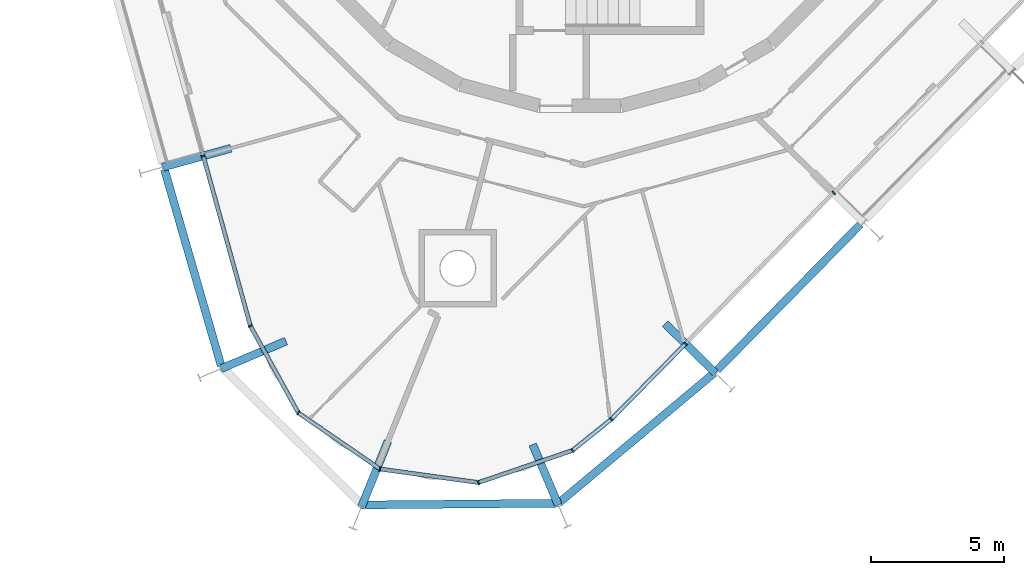
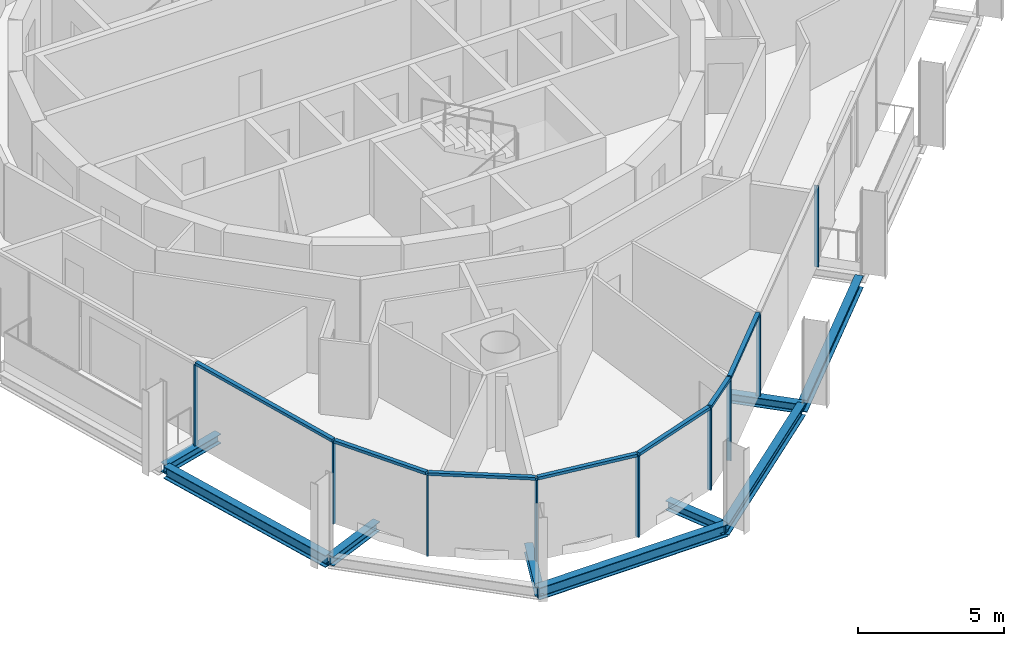
# One storey, part 2 of 15: 16 members, 9 beams, 2 elements without a shape of their own.
"""IFC4 building model written with IfcOpenShell, lengths in metres."""

from ifc_helpers import new_model, si_unit, direction, frame, origin, origin_2d, place, context, subcontext, project, spatial, rectangle, i_section, extrude, material, layer, layer_set, material_profile, profile_set, type_object, element, aggregate, save


model = new_model("IFC4")

# Units and contexts
model_context = context("Model", 3, precision=1e-05, world=origin(), true_north=direction((0.0, 1.0)))
body_context = subcontext(model_context, "Body", "Model", "MODEL_VIEW")
ifc_project = project(units=[si_unit("LENGTHUNIT", "METRE"), si_unit("AREAUNIT", "SQUARE_METRE"), si_unit("VOLUMEUNIT", "CUBIC_METRE"), si_unit("PLANEANGLEUNIT", "RADIAN"), si_unit("MASSUNIT", "GRAM", prefix="KILO")], contexts=[model_context])

# Site, building, storey
site_placement = place(None, origin())
site = spatial("IfcSite", under=ifc_project, at=site_placement, CompositionType="ELEMENT")
building_placement = place(site_placement, origin())
building = spatial("IfcBuilding", under=site, at=building_placement, Name="Spindle Arch Residences", CompositionType="ELEMENT")
storey_placement = place(building_placement, frame((0.0, 0.0, 315.699951171875)))
storey = spatial("IfcBuildingStorey", under=building, at=storey_placement, Name="L81", CompositionType="ELEMENT", Elevation=315.699951171875)

# Curtain wall, members
ifc_material_1 = material(Name="Aluminium bronze unitised frame with tinted glass", Category="aluminium")
ifc_layer_1 = layer(ifc_material_1, 0.159912109375)
ifc_layer_set_1 = layer_set([ifc_layer_1], Name="CW-D corner wall on the fillet arcs")
curtain_wall_type_1 = type_object("IfcCurtainWallType", Name="CW-D corner wall on the fillet arcs", PredefinedType="NOTDEFINED", material=ifc_layer_set_1)
curtain_wall_1_placement = place(storey_placement, origin())
curtain_wall_1 = element("IfcCurtainWall", 1, at=curtain_wall_1_placement, inside=storey, type_object=curtain_wall_type_1, Name="CW-D L81 run 5", PredefinedType="NOTDEFINED")
ifc_material_2 = material(Name="Aluminium bronze anodised mullion", Category="aluminium")
ifc_material_profile_1 = material_profile(ifc_material_2, rectangle(XDim=0.159912109375, YDim=0.06005859375, at=origin_2d()), Name="MU 60x160")
ifc_profile_set_1 = profile_set([ifc_material_profile_1], Name="Aluminium bronze anodised mullion")
member_type_1 = type_object("IfcMemberType", Name="Bronze mullion 60x160", PredefinedType="MULLION", material=ifc_profile_set_1)
member_1_placement = place(storey_placement, frame((-14.1435546875, -13.529296875, -0.3798828125), z_axis=(0.0, 0.0, 1.0), x_axis=(0.963630453209, 0.267238376078, 0.0)))
member_1 = element("IfcMember", 2, at=member_1_placement, type_object=member_type_1, Name="CW-D mullion 00", PredefinedType="MULLION", context=body_context, shape_type="SweptSolid", body=[
    extrude(rectangle(XDim=0.159912109375, YDim=0.06005859375, at=origin_2d()), origin(), (0.0, 0.0, 1.0), 3.3798828125),
])
member_2_placement = place(storey_placement, frame((-12.37548828125, -19.90478515625, -0.3798828125), z_axis=(0.0, 0.0, 1.0), x_axis=(0.876026260142, 0.482263404731, 0.0)))
member_2 = element("IfcMember", 3, at=member_2_placement, type_object=member_type_1, Name="CW-D mullion 01", PredefinedType="MULLION", context=body_context, shape_type="SweptSolid", body=[
    extrude(rectangle(XDim=0.159912109375, YDim=0.06005859375, at=origin_2d()), origin(), (0.0, 0.0, 1.0), 3.3798828125),
])
member_3_placement = place(storey_placement, frame((-10.578125, -23.16943359375, -0.3798828125), z_axis=(0.0, 0.0, 1.0), x_axis=(0.566406236997, 0.824126188573, 0.0)))
member_3 = element("IfcMember", 4, at=member_3_placement, type_object=member_type_1, Name="CW-D mullion 02", PredefinedType="MULLION", context=body_context, shape_type="SweptSolid", body=[
    extrude(rectangle(XDim=0.159912109375, YDim=0.06005859375, at=origin_2d()), origin(), (0.0, 0.0, 1.0), 3.3798828125),
])
member_4_placement = place(storey_placement, frame((-7.5068359375, -25.2802734375, -0.3798828125), z_axis=(0.0, 0.0, 1.0), x_axis=(0.136291936259, 0.99066871764, 0.0)))
member_4 = element("IfcMember", 5, at=member_4_placement, type_object=member_type_1, Name="CW-D mullion 03", PredefinedType="MULLION", context=body_context, shape_type="SweptSolid", body=[
    extrude(rectangle(XDim=0.159912109375, YDim=0.06005859375, at=origin_2d()), origin(), (0.0, 0.0, 1.0), 3.3798828125),
])
member_5_placement = place(storey_placement, frame((-3.81494140625, -25.788330078125, -0.3798828125), z_axis=(0.0, 0.0, 1.0), x_axis=(-0.322816381002, 0.946461612616, 0.0)))
member_5 = element("IfcMember", 6, at=member_5_placement, type_object=member_type_1, Name="CW-D mullion 04", PredefinedType="MULLION", context=body_context, shape_type="SweptSolid", body=[
    extrude(rectangle(XDim=0.159912109375, YDim=0.06005859375, at=origin_2d()), origin(), (0.0, 0.0, 1.0), 3.3798828125),
])
member_6_placement = place(storey_placement, frame((-0.28759765625, -24.585205078125, -0.3798828125), z_axis=(0.0, 0.0, 1.0), x_axis=(-0.627057102153, 0.778973292636, 0.0)))
member_6 = element("IfcMember", 7, at=member_6_placement, type_object=member_type_1, Name="CW-D mullion 05", PredefinedType="MULLION", context=body_context, shape_type="SweptSolid", body=[
    extrude(rectangle(XDim=0.159912109375, YDim=0.06005859375, at=origin_2d()), origin(), (0.0, 0.0, 1.0), 3.3798828125),
])
member_7_placement = place(storey_placement, frame((1.173828125, -23.40869140625, -0.3798828125), z_axis=(0.0, 0.0, 1.0), x_axis=(-0.713250449154, 0.7009092643, 0.0)))
member_7 = element("IfcMember", 8, at=member_7_placement, type_object=member_type_1, Name="CW-D mullion 06", PredefinedType="MULLION", context=body_context, shape_type="SweptSolid", body=[
    extrude(rectangle(XDim=0.159912109375, YDim=0.06005859375, at=origin_2d()), origin(), (0.0, 0.0, 1.0), 3.3798828125),
])

ifc_material_3 = material(Name="Aluminium bronze unitised frame with tinted glass", Category="aluminium")
ifc_layer_2 = layer(ifc_material_3, 0.159912109375)
ifc_layer_set_2 = layer_set([ifc_layer_2], Name="CW-C typical residential unitised wall")
curtain_wall_type_2 = type_object("IfcCurtainWallType", Name="CW-C typical residential unitised wall", PredefinedType="NOTDEFINED", material=ifc_layer_set_2)
curtain_wall_2_placement = place(storey_placement, origin())
curtain_wall_2 = element("IfcCurtainWall", 9, at=curtain_wall_2_placement, inside=storey, type_object=curtain_wall_type_2, Name="CW-C L81 run 6", PredefinedType="NOTDEFINED")
member_8_placement = place(storey_placement, frame((3.95703125, -20.576416015625, -0.3798828125), z_axis=(0.0, 0.0, 1.0), x_axis=(-0.713250449154, 0.7009092643, 0.0)))
member_8 = element("IfcMember", 10, at=member_8_placement, type_object=member_type_1, Name="CW-C mullion 18", PredefinedType="MULLION", context=body_context, shape_type="SweptSolid", body=[
    extrude(rectangle(XDim=0.159912109375, YDim=0.06005859375, at=origin_2d()), origin(), (0.0, 0.0, 1.0), 3.3798828125),
])
member_9_placement = place(storey_placement, frame((9.518798828125, -14.916748046875, -0.3798828125), z_axis=(0.0, 0.0, 1.0), x_axis=(-0.713250449154, 0.7009092643, 0.0)))
member_9 = element("IfcMember", 11, at=member_9_placement, type_object=member_type_1, Name="CW-C mullion 19", PredefinedType="MULLION", context=body_context, shape_type="SweptSolid", body=[
    extrude(rectangle(XDim=0.159912109375, YDim=0.06005859375, at=origin_2d()), origin(), (0.0, 0.0, 1.0), 3.3798828125),
])
aggregate(curtain_wall_2, [member_8, member_9])

# Member
ifc_material_4 = material(Name="Aluminium bronze anodised transom", Category="aluminium")
ifc_material_profile_2 = material_profile(ifc_material_4, rectangle(XDim=0.159912109375, YDim=0.1201171875, at=origin_2d()), Name="TR 120x160")
ifc_profile_set_2 = profile_set([ifc_material_profile_2], Name="Aluminium bronze anodised transom")
member_type_2 = type_object("IfcMemberType", Name="Bronze transom 120x160", PredefinedType="USERDEFINED", material=ifc_profile_set_2)
member_10_placement = place(storey_placement, frame((-14.135498046875, -13.558349609375, 3.06005859375), z_axis=(0.267236650425, -0.963630931773, 0.0), x_axis=(0.963630931773, 0.267236650425, 0.0)))
member_10 = element("IfcMember", 12, at=member_10_placement, type_object=member_type_2, Name="CW-D transom 00", ObjectType="TRANSOM", PredefinedType="USERDEFINED", context=body_context, shape_type="SweptSolid", body=[
    extrude(rectangle(XDim=0.159912109375, YDim=0.1201171875, at=origin_2d()), origin(), (0.0, 0.0, 1.0), 6.555908203125),
])

member_11_placement = place(storey_placement, frame((-12.36083984375, -19.930908203125, 3.06005859375), z_axis=(0.482258656, -0.87602887436, 0.0), x_axis=(0.87602887436, 0.482258656, 0.0)))
member_11 = element("IfcMember", 13, at=member_11_placement, type_object=member_type_2, Name="CW-D transom 01", ObjectType="TRANSOM", PredefinedType="USERDEFINED", context=body_context, shape_type="SweptSolid", body=[
    extrude(rectangle(XDim=0.159912109375, YDim=0.1201171875, at=origin_2d()), origin(), (0.0, 0.0, 1.0), 3.666748046875),
])

member_12_placement = place(storey_placement, frame((-10.553466796875, -23.1865234375, 3.06005859375), z_axis=(0.824162355163, -0.566353610682, 0.0), x_axis=(0.566353610682, 0.824162355163, 0.0)))
member_12 = element("IfcMember", 14, at=member_12_placement, type_object=member_type_2, Name="CW-D transom 02", ObjectType="TRANSOM", PredefinedType="USERDEFINED", context=body_context, shape_type="SweptSolid", body=[
    extrude(rectangle(XDim=0.159912109375, YDim=0.1201171875, at=origin_2d()), origin(), (0.0, 0.0, 1.0), 3.666748046875),
])

member_13_placement = place(storey_placement, frame((-7.47705078125, -25.284423828125, 3.06005859375), z_axis=(0.9906686165, -0.136292671414, 0.0), x_axis=(0.136292671414, 0.9906686165, 0.0)))
member_13 = element("IfcMember", 15, at=member_13_placement, type_object=member_type_2, Name="CW-D transom 03", ObjectType="TRANSOM", PredefinedType="USERDEFINED", context=body_context, shape_type="SweptSolid", body=[
    extrude(rectangle(XDim=0.159912109375, YDim=0.1201171875, at=origin_2d()), origin(), (0.0, 0.0, 1.0), 3.666748046875),
])

member_14_placement = place(storey_placement, frame((-3.786376953125, -25.778564453125, 3.06005859375), z_axis=(0.946449629286, 0.322851512656, 0.0), x_axis=(-0.322851512656, 0.946449629286, 0.0)))
member_14 = element("IfcMember", 16, at=member_14_placement, type_object=member_type_2, Name="CW-D transom 04", ObjectType="TRANSOM", PredefinedType="USERDEFINED", context=body_context, shape_type="SweptSolid", body=[
    extrude(rectangle(XDim=0.159912109375, YDim=0.1201171875, at=origin_2d()), origin(), (0.0, 0.0, 1.0), 3.666748046875),
])

member_15_placement = place(storey_placement, frame((-0.26416015625, -24.56640625, 3.06005859375), z_axis=(0.778910776855, 0.627134755614, 0.0), x_axis=(-0.627134755614, 0.778910776855, 0.0)))
member_15 = element("IfcMember", 17, at=member_15_placement, type_object=member_type_2, Name="CW-D transom 05", ObjectType="TRANSOM", PredefinedType="USERDEFINED", context=body_context, shape_type="SweptSolid", body=[
    extrude(rectangle(XDim=0.159912109375, YDim=0.1201171875, at=origin_2d()), origin(), (0.0, 0.0, 1.0), 1.816162109375),
])

member_16_placement = place(storey_placement, frame((1.19482421875, -23.387451171875, 3.06005859375), z_axis=(0.70089977121, 0.713259777863, 0.0), x_axis=(-0.713259777863, 0.70089977121, 0.0)))
member_16 = element("IfcMember", 18, at=member_16_placement, type_object=member_type_2, Name="CW-D transom 06", ObjectType="TRANSOM", PredefinedType="USERDEFINED", context=body_context, shape_type="SweptSolid", body=[
    extrude(rectangle(XDim=0.159912109375, YDim=0.1201171875, at=origin_2d()), origin(), (0.0, 0.0, 1.0), 3.910888671875),
])

aggregate(curtain_wall_1, [member_1, member_10, member_2, member_11, member_3, member_12, member_4, member_13, member_5, member_14, member_6, member_15, member_7, member_16])

# Beams
ifc_material_5 = material(Name="Steel S460ML, intumescent coating R 120", Category="steel")
ifc_material_profile_3 = material_profile(ifc_material_5, i_section(OverallWidth=0.300048828125, OverallDepth=0.5, WebThickness=0.014404296875, FlangeThickness=0.028076171875, FilletRadius=0.027099609375, at=origin_2d()), Name="HEB 500")
ifc_profile_set_3 = profile_set([ifc_material_profile_3], Name="Steel S460ML, intumescent coating R 120")
beam_type_1 = type_object("IfcBeamType", Name="Exoskeleton edge beam HEB 500", PredefinedType="BEAM", material=ifc_profile_set_3)
beam_1_placement = place(storey_placement, frame((-15.6005859375, -14.035888671875, -0.6298828125), z_axis=(0.277657791247, -0.960680046092, 0.0), x_axis=(0.960680046092, 0.277657791247, 0.0)))
element("IfcBeam", 19, at=beam_1_placement, inside=storey, type_object=beam_type_1, Name="Exoskeleton edge beam 15", PredefinedType="BEAM", context=body_context, shape_type="SweptSolid", body=[
    extrude(i_section(OverallWidth=0.300048828125, OverallDepth=0.5, WebThickness=0.014404296875, FlangeThickness=0.028076171875, FilletRadius=0.027099609375, at=origin_2d()), origin(), (0.0, 0.0, 1.0), 7.671875),
])
beam_2_placement = place(storey_placement, frame((-8.247314453125, -26.628662109375, -0.6298828125), z_axis=(0.999961377867, 0.00878878686, 0.0), x_axis=(-0.00878878686, 0.999961377867, 0.0)))
element("IfcBeam", 20, at=beam_2_placement, inside=storey, type_object=beam_type_1, Name="Exoskeleton edge beam 17", PredefinedType="BEAM", context=body_context, shape_type="SweptSolid", body=[
    extrude(i_section(OverallWidth=0.300048828125, OverallDepth=0.5, WebThickness=0.014404296875, FlangeThickness=0.028076171875, FilletRadius=0.027099609375, at=origin_2d()), origin(), (0.0, 0.0, 1.0), 7.472412109375),
])
beam_3_placement = place(storey_placement, frame((-0.811279296875, -26.5615234375, -0.6298828125), z_axis=(0.767144884688, 0.641473870003, 0.0), x_axis=(-0.641473870003, 0.767144884688, 0.0)))
element("IfcBeam", 21, at=beam_3_placement, inside=storey, type_object=beam_type_1, Name="Exoskeleton edge beam 18", PredefinedType="BEAM", context=body_context, shape_type="SweptSolid", body=[
    extrude(i_section(OverallWidth=0.300048828125, OverallDepth=0.5, WebThickness=0.014404296875, FlangeThickness=0.028076171875, FilletRadius=0.027099609375, at=origin_2d()), origin(), (0.0, 0.0, 1.0), 7.611572265625),
])
beam_4_placement = place(storey_placement, frame((5.146484375, -21.56298828125, -0.6298828125), z_axis=(0.700924831043, 0.713235151425, 0.0), x_axis=(-0.713235151425, 0.700924831043, 0.0)))
element("IfcBeam", 22, at=beam_4_placement, inside=storey, type_object=beam_type_1, Name="Exoskeleton edge beam 19", PredefinedType="BEAM", context=body_context, shape_type="SweptSolid", body=[
    extrude(i_section(OverallWidth=0.300048828125, OverallDepth=0.5, WebThickness=0.014404296875, FlangeThickness=0.028076171875, FilletRadius=0.027099609375, at=origin_2d()), origin(), (0.0, 0.0, 1.0), 7.675048828125),
])
ifc_material_6 = material(Name="Steel S460ML, intumescent coating R 120", Category="steel")
ifc_material_profile_4 = material_profile(ifc_material_6, i_section(OverallWidth=0.300048828125, OverallDepth=0.389892578125, WebThickness=0.010986328125, FlangeThickness=0.01904296875, FilletRadius=0.027099609375, at=origin_2d()), Name="HEA 400")
ifc_profile_set_4 = profile_set([ifc_material_profile_4], Name="Steel S460ML, intumescent coating R 120")
beam_type_2 = type_object("IfcBeamType", Name="Floor outrigger HEA 400", PredefinedType="BEAM", material=ifc_profile_set_4)
beam_5_placement = place(storey_placement, frame((-15.656494140625, -13.948974609375, -0.574951171875), z_axis=(0.963626057771, 0.267254225009, 0.0), x_axis=(-0.267254225009, 0.963626057771, 0.0)))
element("IfcBeam", 23, at=beam_5_placement, inside=storey, type_object=beam_type_2, Name="Floor outrigger 15", PredefinedType="BEAM", context=body_context, shape_type="SweptSolid", body=[
    extrude(i_section(OverallWidth=0.300048828125, OverallDepth=0.389892578125, WebThickness=0.010986328125, FlangeThickness=0.01904296875, FilletRadius=0.027099609375, at=origin_2d()), origin(), (0.0, 0.0, 1.0), 2.650146484375),
])
for number, where, z_axis, x_axis, name in (
    (24, (-13.47314453125, -21.51318359375, -0.574951171875), (0.920615907856, 0.390469397267, 0.0), (-0.390469397267, 0.920615907856, 0.0), "Floor outrigger 16"),
    (25, (-8.20458984375, -26.692626953125, -0.574951171875), (0.374597094323, 0.927187692393, 0.0), (-0.927187692393, 0.374597094323, 0.0), "Floor outrigger 17"),
):
    element("IfcBeam", number, at=place(storey_placement, frame(where, z_axis=z_axis, x_axis=x_axis)), inside=storey, type_object=beam_type_2, Name=name, PredefinedType="BEAM", context=body_context, shape_type="SweptSolid", body=[
        extrude(i_section(OverallWidth=0.300048828125, OverallDepth=0.389892578125, WebThickness=0.010986328125, FlangeThickness=0.01904296875, FilletRadius=0.027099609375, at=origin_2d()), origin(), (0.0, 0.0, 1.0), 2.64990234375),
    ])
beam_6_placement = place(storey_placement, frame((-0.81689453125, -26.62744140625, -0.574951171875), z_axis=(-0.39089545077, 0.920435085472, 0.0), x_axis=(-0.920435085472, -0.39089545077, 0.0)))
element("IfcBeam", 26, at=beam_6_placement, inside=storey, type_object=beam_type_2, Name="Floor outrigger 18", PredefinedType="BEAM", context=body_context, shape_type="SweptSolid", body=[
    extrude(i_section(OverallWidth=0.300048828125, OverallDepth=0.389892578125, WebThickness=0.010986328125, FlangeThickness=0.01904296875, FilletRadius=0.027099609375, at=origin_2d()), origin(), (0.0, 0.0, 1.0), 2.467041015625),
])
beam_7_placement = place(storey_placement, frame((5.076904296875, -21.677001953125, -0.574951171875), z_axis=(-0.713252393258, 0.70090728596, 0.0), x_axis=(-0.70090728596, -0.713252393258, 0.0)))
element("IfcBeam", 27, at=beam_7_placement, inside=storey, type_object=beam_type_2, Name="Floor outrigger 19", PredefinedType="BEAM", context=body_context, shape_type="SweptSolid", body=[
    extrude(i_section(OverallWidth=0.300048828125, OverallDepth=0.389892578125, WebThickness=0.010986328125, FlangeThickness=0.01904296875, FilletRadius=0.027099609375, at=origin_2d()), origin(), (0.0, 0.0, 1.0), 2.650146484375),
])

save(model, "model.ifc")
